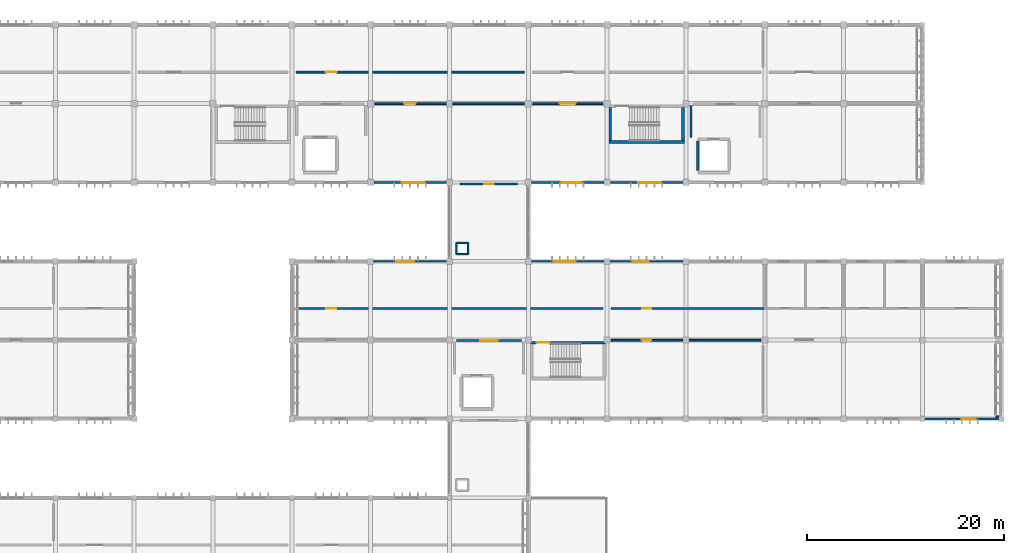
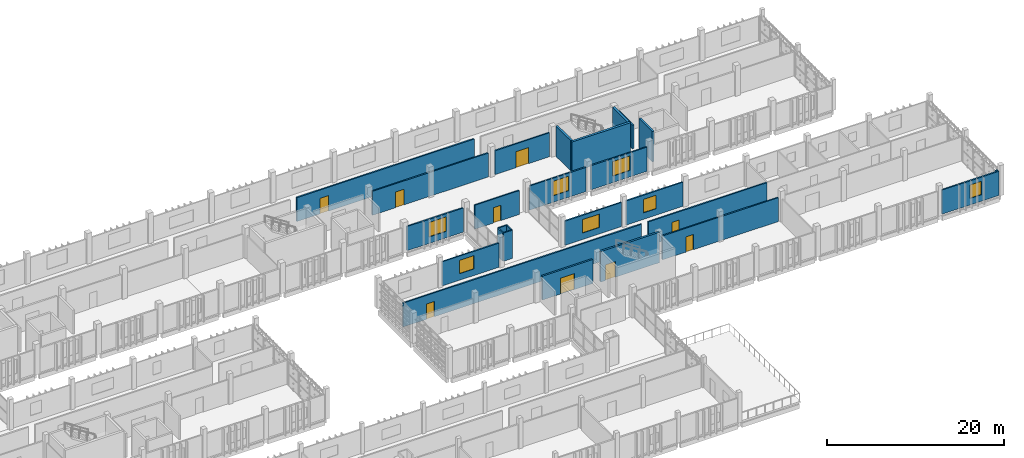
# One storey, part 52 of 63: 26 walls, 9 doors, 7 windows, 16 openings.
"""IFC4 building model written with IfcOpenShell, lengths in metres."""

from ifc_helpers import new_model, si_unit, direction, frame, frame_2d, origin, place, context, subcontext, project, spatial, rectangle, extrude, material, layer, layer_set, type_object, element, fill, save


model = new_model("IFC4")

# Units and contexts
model_context = context("Model", 3, precision=1e-05, world=origin(), true_north=direction((0.0, 1.0)))
body_context = subcontext(model_context, "Body", "Model", "MODEL_VIEW")
ifc_project = project(units=[si_unit("LENGTHUNIT", "METRE"), si_unit("AREAUNIT", "SQUARE_METRE"), si_unit("VOLUMEUNIT", "CUBIC_METRE"), si_unit("PLANEANGLEUNIT", "RADIAN"), si_unit("MASSUNIT", "GRAM", prefix="KILO")], contexts=[model_context])

# Site, building, storey
site_placement = place(None, origin())
site = spatial("IfcSite", under=ifc_project, at=site_placement, CompositionType="ELEMENT")
building_placement = place(site_placement, origin())
building = spatial("IfcBuilding", under=site, at=building_placement, Name="Jelvoka-Kovrelna Polytechnic", CompositionType="ELEMENT")
storey_placement = place(building_placement, frame((0.0, 0.0, 18.0)))
storey = spatial("IfcBuildingStorey", under=building, at=storey_placement, Name="L05", CompositionType="ELEMENT", Elevation=18.0)

# Wall
ifc_material_1 = material(Name="Concrete C35/45", Category="concrete")
ifc_layer_1 = layer(ifc_material_1, 0.219970703125)
ifc_layer_set_1 = layer_set([ifc_layer_1], Name="Concrete C35/45")
wall_type_1 = type_object("IfcWallType", Name="Wall_Compartment_220", PredefinedType="PARTITIONING", material=ifc_layer_set_1)
wall_1_placement = place(storey_placement, frame((168.5, 60.550048828125, 0.0), z_axis=(0.0, 0.0, 1.0), x_axis=(0.0, 1.0, 0.0)))
element("IfcWall", 1, at=wall_1_placement, inside=storey, type_object=wall_type_1, Name="L05 interior wall 0368", PredefinedType="PARTITIONING", context=body_context, shape_type="SweptSolid", body=[
    extrude(rectangle(XDim=3.25, YDim=0.219970703125, at=frame_2d((1.625, 0.0))), origin(), (0.0, 0.0, 1.0), 3.300048828125),
])

# Wall, opening, door
wall_2_placement = place(storey_placement, frame((144.699951171875, 39.949951171875, 0.0), z_axis=(0.0, 0.0, 1.0), x_axis=(1.0, 0.0, 0.0)))
wall_2 = element("IfcWall", 2, at=wall_2_placement, inside=storey, type_object=wall_type_1, Name="L05 interior wall 0495", PredefinedType="PARTITIONING", context=body_context, shape_type="SweptSolid", body=[
    extrude(rectangle(XDim=6.60009765625, YDim=0.219970703125, at=frame_2d((3.300048828125, 0.0))), origin(), (0.0, 0.0, 1.0), 3.300048828125),
])
opening_1_placement = place(wall_2_placement, frame((2.39990234375, 0.0, 0.0)))
opening_1 = element("IfcOpeningElement", 3, at=opening_1_placement, cuts=wall_2, Name="Opening FD-L05-094", PredefinedType="OPENING", context=body_context, shape_type="SweptSolid", body=[
    extrude(rectangle(XDim=1.800048828125, YDim=2.199951171875, at=frame_2d((0.89990234375, 1.10009765625))), frame((0.0, 0.119873046875, 0.0), z_axis=(0.0, -1.0, 0.0), x_axis=(1.0, 0.0, 0.0)), (0.0, 0.0, 1.0), 0.239990234375),
])
ifc_material_2 = material(Name="Paired steel corridor fire door", Category="steel")
door_type_1 = type_object("IfcDoorType", Name="Door_Fire_FD03", OperationType="NOTDEFINED", PredefinedType="DOOR", material=ifc_material_2)
door_1_placement = place(opening_1_placement, origin())
door_1 = element("IfcDoor", 4, at=door_1_placement, inside=storey, type_object=door_type_1, Name="L05 interior door FD-L05-094", OperationType="DOUBLE_DOOR_SINGLE_SWING", OverallHeight=2.199951171875, OverallWidth=1.800048828125, PredefinedType="DOOR", context=body_context, shape_type="SweptSolid", body=[
    extrude(rectangle(XDim=1.800048828125, YDim=2.199951171875, at=frame_2d((0.89990234375, 1.10009765625))), frame((0.0, 0.02490234375, 0.0), z_axis=(0.0, -1.0, 0.0), x_axis=(1.0, 0.0, 0.0)), (0.0, 0.0, 1.0), 0.050048828125),
])
fill(opening_1, door_1)

ifc_material_3 = material(Name="Concrete C40/50", Category="concrete")
ifc_layer_2 = layer(ifc_material_3, 0.25)
ifc_layer_set_2 = layer_set([ifc_layer_2], Name="Concrete C40/50")
wall_type_2 = type_object("IfcWallType", Name="Wall_Core_250", PredefinedType="SOLIDWALL", material=ifc_layer_set_2)
wall_3_placement = place(storey_placement, frame((152.199951171875, 39.739990234375, 0.0), z_axis=(0.0, 0.0, 1.0), x_axis=(1.0, 0.0, 0.0)))
wall_3 = element("IfcWall", 5, at=wall_3_placement, inside=storey, type_object=wall_type_2, Name="L05 interior wall 0135", PredefinedType="SOLIDWALL", context=body_context, shape_type="SweptSolid", body=[
    extrude(rectangle(XDim=7.650146484375, YDim=0.25, at=frame_2d((3.8251953125, 0.0))), origin(), (0.0, 0.0, 1.0), 4.199951171875),
])
opening_2_placement = place(wall_3_placement, frame((0.64990234375, 0.0, 0.0)))
opening_2 = element("IfcOpeningElement", 6, at=opening_2_placement, cuts=wall_3, Name="Opening SD-L05-034", PredefinedType="OPENING", context=body_context, shape_type="SweptSolid", body=[
    extrude(rectangle(XDim=1.25, YDim=2.14990234375, at=frame_2d((0.625, 1.074951171875))), frame((0.0, 0.135009765625, 0.0), z_axis=(0.0, -1.0, 0.0), x_axis=(1.0, 0.0, 0.0)), (0.0, 0.0, 1.0), 0.27001953125),
])
ifc_material_4 = material(Name="Powder-coated steel fire door", Category="steel")
door_type_2 = type_object("IfcDoorType", Name="Door_Fire_FD02", OperationType="NOTDEFINED", PredefinedType="DOOR", material=ifc_material_4)
door_2_placement = place(opening_2_placement, origin())
door_2 = element("IfcDoor", 7, at=door_2_placement, inside=storey, type_object=door_type_2, Name="L05 interior door SD-L05-034", OperationType="SINGLE_SWING_LEFT", OverallHeight=2.14990234375, OverallWidth=1.25, PredefinedType="DOOR", context=body_context, shape_type="SweptSolid", body=[
    extrude(rectangle(XDim=1.25, YDim=2.14990234375, at=frame_2d((0.625, 1.074951171875))), frame((0.0, 0.02490234375, 0.0), z_axis=(0.0, -1.0, 0.0), x_axis=(1.0, 0.0, 0.0)), (0.0, 0.0, 1.0), 0.050048828125),
])
fill(opening_2, door_2)

# Walls
wall_4_placement = place(storey_placement, frame((160.324951171875, 60.25, 0.0), z_axis=(0.0, 0.0, 1.0), x_axis=(0.0, 1.0, 0.0)))
element("IfcWall", 8, at=wall_4_placement, inside=storey, type_object=wall_type_2, Name="L05 interior wall 0204", PredefinedType="SOLIDWALL", context=body_context, shape_type="SweptSolid", body=[
    extrude(rectangle(XDim=3.360107421875, YDim=0.25, at=frame_2d((1.68017578125, 0.0))), origin(), (0.0, 0.0, 1.0), 4.199951171875),
])
wall_5_placement = place(storey_placement, frame((169.199951171875, 57.199951171875, 0.0), z_axis=(0.0, 0.0, 1.0), x_axis=(0.0, 1.0, 0.0)))
element("IfcWall", 9, at=wall_5_placement, inside=storey, type_object=wall_type_2, Name="L05 interior wall 0365", PredefinedType="SOLIDWALL", context=body_context, shape_type="SweptSolid", body=[
    extrude(rectangle(XDim=3.0, YDim=0.25, at=frame_2d((1.5, 0.0))), origin(), (0.0, 0.0, 1.0), 4.199951171875),
])

# Wall, opening, door
ifc_material_5 = material(Name="Autoclaved aerated concrete blockwork", Category="masonry")
ifc_layer_3 = layer(ifc_material_5, 0.179931640625)
ifc_layer_set_3 = layer_set([ifc_layer_3], Name="Autoclaved aerated concrete blockwork")
wall_type_3 = type_object("IfcWallType", Name="Wall_Corridor_180", PredefinedType="PARTITIONING", material=ifc_layer_set_3)
wall_6_placement = place(storey_placement, frame((160.429931640625, 40.0, 0.0), z_axis=(0.0, 0.0, 1.0), x_axis=(1.0, 0.0, 0.0)))
wall_6 = element("IfcWall", 10, at=wall_6_placement, inside=storey, type_object=wall_type_3, Name="L05 interior wall 1197", PredefinedType="PARTITIONING", context=body_context, shape_type="SweptSolid", body=[
    extrude(rectangle(XDim=15.14013671875, YDim=0.179931640625, at=frame_2d((7.570068359375, 0.0))), origin(), (0.0, 0.0, 1.0), 3.300048828125),
])
opening_3_placement = place(wall_6_placement, frame((3.10009765625, 0.0, 0.0)))
opening_3 = element("IfcOpeningElement", 11, at=opening_3_placement, cuts=wall_6, Name="Opening D-L05-388", PredefinedType="OPENING", context=body_context, shape_type="SweptSolid", body=[
    extrude(rectangle(XDim=0.93994140625, YDim=2.10009765625, at=frame_2d((0.469970703125, 1.050048828125))), frame((0.0, 0.099853515625, 0.0), z_axis=(0.0, -1.0, 0.0), x_axis=(1.0, 0.0, 0.0)), (0.0, 0.0, 1.0), 0.199951171875),
])
ifc_material_6 = material(Name="Hardwood solid-core door", Category="wood")
door_type_3 = type_object("IfcDoorType", Name="Door_Int_D02", OperationType="NOTDEFINED", PredefinedType="DOOR", material=ifc_material_6)
door_3_placement = place(opening_3_placement, origin())
door_3 = element("IfcDoor", 12, at=door_3_placement, inside=storey, type_object=door_type_3, Name="L05 interior door D-L05-388", OperationType="SINGLE_SWING_RIGHT", OverallHeight=2.10009765625, OverallWidth=0.93994140625, PredefinedType="DOOR", context=body_context, shape_type="SweptSolid", body=[
    extrude(rectangle(XDim=0.93994140625, YDim=2.10009765625, at=frame_2d((0.469970703125, 1.050048828125))), frame((0.0, 0.02490234375, 0.0), z_axis=(0.0, -1.0, 0.0), x_axis=(1.0, 0.0, 0.0)), (0.0, 0.0, 1.0), 0.050048828125),
])
fill(opening_3, door_3)

wall_7_placement = place(storey_placement, frame((128.429931640625, 43.199951171875, 0.0), z_axis=(0.0, 0.0, 1.0), x_axis=(1.0, 0.0, 0.0)))
wall_7 = element("IfcWall", 13, at=wall_7_placement, inside=storey, type_object=wall_type_3, Name="L05 interior wall 1200", PredefinedType="PARTITIONING", context=body_context, shape_type="SweptSolid", body=[
    extrude(rectangle(XDim=31.14013671875, YDim=0.179931640625, at=frame_2d((15.570068359375, 0.0))), origin(), (0.0, 0.0, 1.0), 3.300048828125),
])
opening_4_placement = place(wall_7_placement, frame((3.0400390625, 0.0, 0.0)))
opening_4 = element("IfcOpeningElement", 14, at=opening_4_placement, cuts=wall_7, Name="Opening D-L05-390", PredefinedType="OPENING", context=body_context, shape_type="SweptSolid", body=[
    extrude(rectangle(XDim=1.06005859375, YDim=2.10009765625, at=frame_2d((0.530029296875, 1.050048828125))), frame((0.0, 0.099853515625, 0.0), z_axis=(0.0, -1.0, 0.0), x_axis=(1.0, 0.0, 0.0)), (0.0, 0.0, 1.0), 0.199951171875),
])
ifc_material_7 = material(Name="Hardwood solid-core door", Category="wood")
door_type_4 = type_object("IfcDoorType", Name="Door_Int_D05", OperationType="NOTDEFINED", PredefinedType="DOOR", material=ifc_material_7)
door_4_placement = place(opening_4_placement, origin())
door_4 = element("IfcDoor", 15, at=door_4_placement, inside=storey, type_object=door_type_4, Name="L05 interior door D-L05-390", OperationType="SINGLE_SWING_LEFT", OverallHeight=2.10009765625, OverallWidth=1.06005859375, PredefinedType="DOOR", context=body_context, shape_type="SweptSolid", body=[
    extrude(rectangle(XDim=1.06005859375, YDim=2.10009765625, at=frame_2d((0.530029296875, 1.050048828125))), frame((0.0, 0.02490234375, 0.0), z_axis=(0.0, -1.0, 0.0), x_axis=(1.0, 0.0, 0.0)), (0.0, 0.0, 1.0), 0.050048828125),
])
fill(opening_4, door_4)

wall_8_placement = place(storey_placement, frame((160.429931640625, 43.199951171875, 0.0), z_axis=(0.0, 0.0, 1.0), x_axis=(1.0, 0.0, 0.0)))
wall_8 = element("IfcWall", 16, at=wall_8_placement, inside=storey, type_object=wall_type_3, Name="L05 interior wall 1201", PredefinedType="PARTITIONING", context=body_context, shape_type="SweptSolid", body=[
    extrude(rectangle(XDim=15.4951171875, YDim=0.179931640625, at=frame_2d((7.74755859375, 0.0))), origin(), (0.0, 0.0, 1.0), 3.300048828125),
])
opening_5_placement = place(wall_8_placement, frame((3.110107421875, 0.0, 0.0)))
opening_5 = element("IfcOpeningElement", 17, at=opening_5_placement, cuts=wall_8, Name="Opening D-L05-391", PredefinedType="OPENING", context=body_context, shape_type="SweptSolid", body=[
    extrude(rectangle(XDim=0.919921875, YDim=2.14990234375, at=frame_2d((0.4599609375, 1.074951171875))), frame((0.0, 0.099853515625, 0.0), z_axis=(0.0, -1.0, 0.0), x_axis=(1.0, 0.0, 0.0)), (0.0, 0.0, 1.0), 0.199951171875),
])
ifc_material_8 = material(Name="Hardwood solid-core door", Category="wood")
door_type_5 = type_object("IfcDoorType", Name="Door_Int_D06", OperationType="NOTDEFINED", PredefinedType="DOOR", material=ifc_material_8)
door_5_placement = place(opening_5_placement, origin())
door_5 = element("IfcDoor", 18, at=door_5_placement, inside=storey, type_object=door_type_5, Name="L05 interior door D-L05-391", OperationType="SINGLE_SWING_RIGHT", OverallHeight=2.14990234375, OverallWidth=0.919921875, PredefinedType="DOOR", context=body_context, shape_type="SweptSolid", body=[
    extrude(rectangle(XDim=0.919921875, YDim=2.14990234375, at=frame_2d((0.4599609375, 1.074951171875))), frame((0.0, 0.02490234375, 0.0), z_axis=(0.0, -1.0, 0.0), x_axis=(1.0, 0.0, 0.0)), (0.0, 0.0, 1.0), 0.050048828125),
])
fill(opening_5, door_5)

wall_9_placement = place(storey_placement, frame((136.429931640625, 64.0, 0.0), z_axis=(0.0, 0.0, 1.0), x_axis=(1.0, 0.0, 0.0)))
wall_9 = element("IfcWall", 19, at=wall_9_placement, inside=storey, type_object=wall_type_3, Name="L05 interior wall 1206", PredefinedType="PARTITIONING", context=body_context, shape_type="SweptSolid", body=[
    extrude(rectangle(XDim=15.14013671875, YDim=0.179931640625, at=frame_2d((7.570068359375, 0.0))), origin(), (0.0, 0.0, 1.0), 3.300048828125),
])
opening_6_placement = place(wall_9_placement, frame((3.0, 0.0, 0.0)))
opening_6 = element("IfcOpeningElement", 20, at=opening_6_placement, cuts=wall_9, Name="Opening D-L05-395", PredefinedType="OPENING", context=body_context, shape_type="SweptSolid", body=[
    extrude(rectangle(XDim=1.139892578125, YDim=2.14990234375, at=frame_2d((0.56982421875, 1.074951171875))), frame((0.0, 0.099853515625, 0.0), z_axis=(0.0, -1.0, 0.0), x_axis=(1.0, 0.0, 0.0)), (0.0, 0.0, 1.0), 0.199951171875),
])
ifc_material_9 = material(Name="Laboratory vision-panel door", Category="wood")
door_type_6 = type_object("IfcDoorType", Name="Door_Int_D11", OperationType="NOTDEFINED", PredefinedType="DOOR", material=ifc_material_9)
door_6_placement = place(opening_6_placement, origin())
door_6 = element("IfcDoor", 21, at=door_6_placement, inside=storey, type_object=door_type_6, Name="L05 interior door D-L05-395", OperationType="SINGLE_SWING_RIGHT", OverallHeight=2.14990234375, OverallWidth=1.139892578125, PredefinedType="DOOR", context=body_context, shape_type="SweptSolid", body=[
    extrude(rectangle(XDim=1.139892578125, YDim=2.14990234375, at=frame_2d((0.56982421875, 1.074951171875))), frame((0.0, 0.02490234375, 0.0), z_axis=(0.0, -1.0, 0.0), x_axis=(1.0, 0.0, 0.0)), (0.0, 0.0, 1.0), 0.050048828125),
])
fill(opening_6, door_6)

wall_10_placement = place(storey_placement, frame((152.429931640625, 64.0, 0.0), z_axis=(0.0, 0.0, 1.0), x_axis=(1.0, 0.0, 0.0)))
wall_10 = element("IfcWall", 22, at=wall_10_placement, inside=storey, type_object=wall_type_3, Name="L05 interior wall 1207", PredefinedType="PARTITIONING", context=body_context, shape_type="SweptSolid", body=[
    extrude(rectangle(XDim=7.14013671875, YDim=0.179931640625, at=frame_2d((3.570068359375, 0.0))), origin(), (0.0, 0.0, 1.0), 3.300048828125),
])
opening_7_placement = place(wall_10_placement, frame((2.739990234375, 0.0, 0.0)))
opening_7 = element("IfcOpeningElement", 23, at=opening_7_placement, cuts=wall_10, Name="Opening D-L05-396", PredefinedType="OPENING", context=body_context, shape_type="SweptSolid", body=[
    extrude(rectangle(XDim=1.659912109375, YDim=2.219970703125, at=frame_2d((0.830078125, 1.10986328125))), frame((0.0, 0.099853515625, 0.0), z_axis=(0.0, -1.0, 0.0), x_axis=(1.0, 0.0, 0.0)), (0.0, 0.0, 1.0), 0.199951171875),
])
ifc_material_10 = material(Name="Paired acoustic fire-resisting lecture door", Category="wood")
door_type_7 = type_object("IfcDoorType", Name="Door_Fire_FD30_08", OperationType="NOTDEFINED", PredefinedType="DOOR", material=ifc_material_10)
door_7_placement = place(opening_7_placement, origin())
door_7 = element("IfcDoor", 24, at=door_7_placement, inside=storey, type_object=door_type_7, Name="L05 interior door D-L05-396", OperationType="DOUBLE_DOOR_SINGLE_SWING", OverallHeight=2.219970703125, OverallWidth=1.659912109375, PredefinedType="DOOR", context=body_context, shape_type="SweptSolid", body=[
    extrude(rectangle(XDim=1.659912109375, YDim=2.219970703125, at=frame_2d((0.830078125, 1.10986328125))), frame((0.0, 0.02490234375, 0.0), z_axis=(0.0, -1.0, 0.0), x_axis=(1.0, 0.0, 0.0)), (0.0, 0.0, 1.0), 0.050048828125),
])
fill(opening_7, door_7)

wall_11_placement = place(storey_placement, frame((128.429931640625, 67.199951171875, 0.0), z_axis=(0.0, 0.0, 1.0), x_axis=(1.0, 0.0, 0.0)))
wall_11 = element("IfcWall", 25, at=wall_11_placement, inside=storey, type_object=wall_type_3, Name="L05 interior wall 1212", PredefinedType="PARTITIONING", context=body_context, shape_type="SweptSolid", body=[
    extrude(rectangle(XDim=23.14013671875, YDim=0.179931640625, at=frame_2d((11.570068359375, 0.0))), origin(), (0.0, 0.0, 1.0), 3.300048828125),
])
opening_8_placement = place(wall_11_placement, frame((2.9951171875, 0.0, 0.0)))
opening_8 = element("IfcOpeningElement", 26, at=opening_8_placement, cuts=wall_11, Name="Opening D-L05-401", PredefinedType="OPENING", context=body_context, shape_type="SweptSolid", body=[
    extrude(rectangle(XDim=1.14990234375, YDim=2.14990234375, at=frame_2d((0.574951171875, 1.074951171875))), frame((0.0, 0.099853515625, 0.0), z_axis=(0.0, -1.0, 0.0), x_axis=(1.0, 0.0, 0.0)), (0.0, 0.0, 1.0), 0.199951171875),
])
ifc_material_11 = material(Name="Hardwood fire-resisting laboratory door", Category="wood")
door_type_8 = type_object("IfcDoorType", Name="Door_Fire_FD30_03", OperationType="NOTDEFINED", PredefinedType="DOOR", material=ifc_material_11)
door_8_placement = place(opening_8_placement, origin())
door_8 = element("IfcDoor", 27, at=door_8_placement, inside=storey, type_object=door_type_8, Name="L05 interior door D-L05-401", OperationType="SINGLE_SWING_LEFT", OverallHeight=2.14990234375, OverallWidth=1.14990234375, PredefinedType="DOOR", context=body_context, shape_type="SweptSolid", body=[
    extrude(rectangle(XDim=1.14990234375, YDim=2.14990234375, at=frame_2d((0.574951171875, 1.074951171875))), frame((0.0, 0.02490234375, 0.0), z_axis=(0.0, -1.0, 0.0), x_axis=(1.0, 0.0, 0.0)), (0.0, 0.0, 1.0), 0.050048828125),
])
fill(opening_8, door_8)

wall_12_placement = place(storey_placement, frame((145.10009765625, 55.85009765625, 0.0), z_axis=(0.0, 0.0, 1.0), x_axis=(1.0, 0.0, 0.0)))
wall_12 = element("IfcWall", 28, at=wall_12_placement, inside=storey, type_object=wall_type_3, Name="L05 interior wall 1221", PredefinedType="PARTITIONING", context=body_context, shape_type="SweptSolid", body=[
    extrude(rectangle(XDim=5.7998046875, YDim=0.179931640625, at=frame_2d((2.89990234375, 0.0))), origin(), (0.0, 0.0, 1.0), 3.300048828125),
])
opening_9_placement = place(wall_12_placement, frame((2.409912109375, 0.0, 0.0)))
opening_9 = element("IfcOpeningElement", 29, at=opening_9_placement, cuts=wall_12, Name="Opening D-L05-407", PredefinedType="OPENING", context=body_context, shape_type="SweptSolid", body=[
    extrude(rectangle(XDim=0.97998046875, YDim=2.10009765625, at=frame_2d((0.489990234375, 1.050048828125))), frame((0.0, 0.099853515625, 0.0), z_axis=(0.0, -1.0, 0.0), x_axis=(1.0, 0.0, 0.0)), (0.0, 0.0, 1.0), 0.199951171875),
])
ifc_material_12 = material(Name="Hardwood solid-core door", Category="wood")
door_type_9 = type_object("IfcDoorType", Name="Door_Int_D03", OperationType="NOTDEFINED", PredefinedType="DOOR", material=ifc_material_12)
door_9_placement = place(opening_9_placement, origin())
door_9 = element("IfcDoor", 30, at=door_9_placement, inside=storey, type_object=door_type_9, Name="L05 interior door D-L05-407", OperationType="SINGLE_SWING_RIGHT", OverallHeight=2.10009765625, OverallWidth=0.97998046875, PredefinedType="DOOR", context=body_context, shape_type="SweptSolid", body=[
    extrude(rectangle(XDim=0.97998046875, YDim=2.10009765625, at=frame_2d((0.489990234375, 1.050048828125))), frame((0.0, 0.02490234375, 0.0), z_axis=(0.0, -1.0, 0.0), x_axis=(1.0, 0.0, 0.0)), (0.0, 0.0, 1.0), 0.050048828125),
])
fill(opening_9, door_9)

# Wall, opening, window
ifc_material_13 = material(Name="Precast concrete C40/50", Category="concrete")
ifc_layer_4 = layer(ifc_material_13, 0.18505859375)
ifc_layer_set_4 = layer_set([ifc_layer_4], Name="Precast concrete C40/50")
wall_type_4 = type_object("IfcWallType", Name="Wall_Ext_White_260", PredefinedType="STANDARD", material=ifc_layer_set_4)
wall_13_placement = place(storey_placement, frame((136.297119140625, 48.0, 0.0), z_axis=(0.0, 0.0, 1.0), x_axis=(1.0, 0.0, 0.0)))
wall_13 = element("IfcWall", 31, at=wall_13_placement, inside=storey, type_object=wall_type_4, Name="L05 exterior wall 0509", PredefinedType="STANDARD", context=body_context, shape_type="SweptSolid", body=[
    extrude(rectangle(XDim=7.40576171875, YDim=0.18505859375, at=frame_2d((3.702880859375, 0.0))), origin(), (0.0, 0.0, 1.0), 3.3349609375),
])
opening_10_placement = place(wall_13_placement, frame((2.282958984375, 0.0, 0.89990234375)))
opening_10 = element("IfcOpeningElement", 32, at=opening_10_placement, cuts=wall_13, Name="Opening W-L05-208", PredefinedType="OPENING", context=body_context, shape_type="SweptSolid", body=[
    extrude(rectangle(XDim=1.85009765625, YDim=1.85009765625, at=frame_2d((0.925048828125, 0.925048828125))), frame((0.0, 0.1025390625, 0.0), z_axis=(0.0, -1.0, 0.0), x_axis=(1.0, 0.0, 0.0)), (0.0, 0.0, 1.0), 0.205078125),
])
ifc_material_14 = material(Name="Thermally broken anodised aluminium and low-e glazing", Category="aluminium")
window_type_1 = type_object("IfcWindowType", Name="Win_Casement_W45", PartitioningType="DOUBLE_PANEL_VERTICAL", PredefinedType="WINDOW", material=ifc_material_14)
window_1_placement = place(opening_10_placement, origin())
window_1 = element("IfcWindow", 33, at=window_1_placement, inside=storey, type_object=window_type_1, Name="L05 aluminium casement window W-L05-208", OverallHeight=1.85009765625, OverallWidth=1.85009765625, PartitioningType="DOUBLE_PANEL_VERTICAL", PredefinedType="WINDOW", context=body_context, shape_type="SweptSolid", body=[
    extrude(rectangle(XDim=1.85009765625, YDim=1.85009765625, at=frame_2d((0.925048828125, 0.925048828125))), frame((0.0, 0.030029296875, 0.0), z_axis=(0.0, -1.0, 0.0), x_axis=(1.0, 0.0, 0.0)), (0.0, 0.0, 1.0), 0.06005859375),
])
fill(opening_10, window_1)

wall_14_placement = place(storey_placement, frame((152.297119140625, 48.0, 0.0), z_axis=(0.0, 0.0, 1.0), x_axis=(1.0, 0.0, 0.0)))
wall_14 = element("IfcWall", 34, at=wall_14_placement, inside=storey, type_object=wall_type_4, Name="L05 exterior wall 0511", PredefinedType="STANDARD", context=body_context, shape_type="SweptSolid", body=[
    extrude(rectangle(XDim=7.40576171875, YDim=0.18505859375, at=frame_2d((3.702880859375, 0.0))), origin(), (0.0, 0.0, 1.0), 3.3349609375),
])
opening_11_placement = place(wall_14_placement, frame((2.282958984375, 0.0, 0.89990234375)))
opening_11 = element("IfcOpeningElement", 35, at=opening_11_placement, cuts=wall_14, Name="Opening W-L05-210", PredefinedType="OPENING", context=body_context, shape_type="SweptSolid", body=[
    extrude(rectangle(XDim=2.25, YDim=1.85009765625, at=frame_2d((1.125, 0.925048828125))), frame((0.0, 0.1025390625, 0.0), z_axis=(0.0, -1.0, 0.0), x_axis=(1.0, 0.0, 0.0)), (0.0, 0.0, 1.0), 0.205078125),
])
ifc_material_15 = material(Name="Thermally broken anodised aluminium and low-e glazing", Category="aluminium")
window_type_2 = type_object("IfcWindowType", Name="Win_Casement_W47", PartitioningType="DOUBLE_PANEL_VERTICAL", PredefinedType="WINDOW", material=ifc_material_15)
window_2_placement = place(opening_11_placement, origin())
window_2 = element("IfcWindow", 36, at=window_2_placement, inside=storey, type_object=window_type_2, Name="L05 aluminium casement window W-L05-210", OverallHeight=1.85009765625, OverallWidth=2.25, PartitioningType="DOUBLE_PANEL_VERTICAL", PredefinedType="WINDOW", context=body_context, shape_type="SweptSolid", body=[
    extrude(rectangle(XDim=2.25, YDim=1.85009765625, at=frame_2d((1.125, 0.925048828125))), frame((0.0, 0.030029296875, 0.0), z_axis=(0.0, -1.0, 0.0), x_axis=(1.0, 0.0, 0.0)), (0.0, 0.0, 1.0), 0.06005859375),
])
fill(opening_11, window_2)

wall_15_placement = place(storey_placement, frame((160.297119140625, 48.0, 0.0), z_axis=(0.0, 0.0, 1.0), x_axis=(1.0, 0.0, 0.0)))
wall_15 = element("IfcWall", 37, at=wall_15_placement, inside=storey, type_object=wall_type_4, Name="L05 exterior wall 0513", PredefinedType="STANDARD", context=body_context, shape_type="SweptSolid", body=[
    extrude(rectangle(XDim=7.40576171875, YDim=0.18505859375, at=frame_2d((3.702880859375, 0.0))), origin(), (0.0, 0.0, 1.0), 3.3349609375),
])
opening_12_placement = place(wall_15_placement, frame((2.282958984375, 0.0, 0.89990234375)))
opening_12 = element("IfcOpeningElement", 38, at=opening_12_placement, cuts=wall_15, Name="Opening W-L05-212", PredefinedType="OPENING", context=body_context, shape_type="SweptSolid", body=[
    extrude(rectangle(XDim=1.64990234375, YDim=1.85009765625, at=frame_2d((0.824951171875, 0.925048828125))), frame((0.0, 0.1025390625, 0.0), z_axis=(0.0, -1.0, 0.0), x_axis=(1.0, 0.0, 0.0)), (0.0, 0.0, 1.0), 0.205078125),
])
ifc_material_16 = material(Name="Thermally broken anodised aluminium and low-e glazing", Category="aluminium")
window_type_3 = type_object("IfcWindowType", Name="Win_Casement_W44", PartitioningType="DOUBLE_PANEL_VERTICAL", PredefinedType="WINDOW", material=ifc_material_16)
window_3_placement = place(opening_12_placement, origin())
window_3 = element("IfcWindow", 39, at=window_3_placement, inside=storey, type_object=window_type_3, Name="L05 aluminium casement window W-L05-212", OverallHeight=1.85009765625, OverallWidth=1.64990234375, PartitioningType="DOUBLE_PANEL_VERTICAL", PredefinedType="WINDOW", context=body_context, shape_type="SweptSolid", body=[
    extrude(rectangle(XDim=1.64990234375, YDim=1.85009765625, at=frame_2d((0.824951171875, 0.925048828125))), frame((0.0, 0.030029296875, 0.0), z_axis=(0.0, -1.0, 0.0), x_axis=(1.0, 0.0, 0.0)), (0.0, 0.0, 1.0), 0.06005859375),
])
fill(opening_12, window_3)

wall_16_placement = place(storey_placement, frame((199.72802734375, 32.0, 0.0), z_axis=(0.0, 0.0, 1.0), x_axis=(-1.0, 0.0, 0.0)))
wall_16 = element("IfcWall", 40, at=wall_16_placement, inside=storey, type_object=wall_type_4, Name="L05 exterior wall 0520", PredefinedType="STANDARD", context=body_context, shape_type="SweptSolid", body=[
    extrude(rectangle(XDim=7.4560546875, YDim=0.18505859375, at=frame_2d((3.72802734375, 0.0))), origin(), (0.0, 0.0, 1.0), 3.3349609375),
])
opening_13_placement = place(wall_16_placement, frame((2.30810546875, 0.0, 0.89990234375)))
opening_13 = element("IfcOpeningElement", 41, at=opening_13_placement, cuts=wall_16, Name="Opening W-L05-221", PredefinedType="OPENING", context=body_context, shape_type="SweptSolid", body=[
    extrude(rectangle(XDim=1.449951171875, YDim=1.85009765625, at=frame_2d((0.72509765625, 0.925048828125))), frame((0.0, 0.1025390625, 0.0), z_axis=(0.0, -1.0, 0.0), x_axis=(1.0, 0.0, 0.0)), (0.0, 0.0, 1.0), 0.205078125),
])
ifc_material_17 = material(Name="Thermally broken anodised aluminium and low-e glazing", Category="aluminium")
window_type_4 = type_object("IfcWindowType", Name="Win_Casement_W43", PartitioningType="SINGLE_PANEL", PredefinedType="WINDOW", material=ifc_material_17)
window_4_placement = place(opening_13_placement, origin())
window_4 = element("IfcWindow", 42, at=window_4_placement, inside=storey, type_object=window_type_4, Name="L05 aluminium casement window W-L05-221", OverallHeight=1.85009765625, OverallWidth=1.449951171875, PartitioningType="SINGLE_PANEL", PredefinedType="WINDOW", context=body_context, shape_type="SweptSolid", body=[
    extrude(rectangle(XDim=1.449951171875, YDim=1.85009765625, at=frame_2d((0.72509765625, 0.925048828125))), frame((0.0, 0.030029296875, 0.0), z_axis=(0.0, -1.0, 0.0), x_axis=(1.0, 0.0, 0.0)), (0.0, 0.0, 1.0), 0.06005859375),
])
fill(opening_13, window_4)

wall_17_placement = place(storey_placement, frame((143.677978515625, 56.0, 0.0), z_axis=(0.0, 0.0, 1.0), x_axis=(-1.0, 0.0, 0.0)))
wall_17 = element("IfcWall", 43, at=wall_17_placement, inside=storey, type_object=wall_type_4, Name="L05 exterior wall 0730", PredefinedType="STANDARD", context=body_context, shape_type="SweptSolid", body=[
    extrude(rectangle(XDim=7.35595703125, YDim=0.18505859375, at=frame_2d((3.677978515625, 0.0))), origin(), (0.0, 0.0, 1.0), 3.3349609375),
])
opening_14_placement = place(wall_17_placement, frame((2.258056640625, 0.0, 0.89990234375)))
opening_14 = element("IfcOpeningElement", 44, at=opening_14_placement, cuts=wall_17, Name="Opening W-L05-392", PredefinedType="OPENING", context=body_context, shape_type="SweptSolid", body=[
    extrude(rectangle(XDim=2.25, YDim=2.0, at=frame_2d((1.125, 1.0))), frame((0.0, 0.1025390625, 0.0), z_axis=(0.0, -1.0, 0.0), x_axis=(1.0, 0.0, 0.0)), (0.0, 0.0, 1.0), 0.205078125),
])
ifc_material_18 = material(Name="Thermally broken anodised aluminium and low-e glazing", Category="aluminium")
window_type_5 = type_object("IfcWindowType", Name="Win_Casement_W57", PartitioningType="DOUBLE_PANEL_VERTICAL", PredefinedType="WINDOW", material=ifc_material_18)
window_5_placement = place(opening_14_placement, origin())
window_5 = element("IfcWindow", 45, at=window_5_placement, inside=storey, type_object=window_type_5, Name="L05 aluminium casement window W-L05-392", OverallHeight=2.0, OverallWidth=2.25, PartitioningType="DOUBLE_PANEL_VERTICAL", PredefinedType="WINDOW", context=body_context, shape_type="SweptSolid", body=[
    extrude(rectangle(XDim=2.25, YDim=2.0, at=frame_2d((1.125, 1.0))), frame((0.0, 0.030029296875, 0.0), z_axis=(0.0, -1.0, 0.0), x_axis=(1.0, 0.0, 0.0)), (0.0, 0.0, 1.0), 0.06005859375),
])
fill(opening_14, window_5)

wall_18_placement = place(storey_placement, frame((159.677978515625, 56.0, 0.0), z_axis=(0.0, 0.0, 1.0), x_axis=(-1.0, 0.0, 0.0)))
wall_18 = element("IfcWall", 46, at=wall_18_placement, inside=storey, type_object=wall_type_4, Name="L05 exterior wall 0733", PredefinedType="STANDARD", context=body_context, shape_type="SweptSolid", body=[
    extrude(rectangle(XDim=7.35595703125, YDim=0.18505859375, at=frame_2d((3.677978515625, 0.0))), origin(), (0.0, 0.0, 1.0), 3.3349609375),
])
opening_15_placement = place(wall_18_placement, frame((2.258056640625, 0.0, 0.89990234375)))
opening_15 = element("IfcOpeningElement", 47, at=opening_15_placement, cuts=wall_18, Name="Opening W-L05-395", PredefinedType="OPENING", context=body_context, shape_type="SweptSolid", body=[
    extrude(rectangle(XDim=2.050048828125, YDim=2.0, at=frame_2d((1.02490234375, 1.0))), frame((0.0, 0.1025390625, 0.0), z_axis=(0.0, -1.0, 0.0), x_axis=(1.0, 0.0, 0.0)), (0.0, 0.0, 1.0), 0.205078125),
])
ifc_material_19 = material(Name="Thermally broken anodised aluminium and low-e glazing", Category="aluminium")
window_type_6 = type_object("IfcWindowType", Name="Win_Casement_W56", PartitioningType="DOUBLE_PANEL_VERTICAL", PredefinedType="WINDOW", material=ifc_material_19)
window_6_placement = place(opening_15_placement, origin())
window_6 = element("IfcWindow", 48, at=window_6_placement, inside=storey, type_object=window_type_6, Name="L05 aluminium casement window W-L05-395", OverallHeight=2.0, OverallWidth=2.050048828125, PartitioningType="DOUBLE_PANEL_VERTICAL", PredefinedType="WINDOW", context=body_context, shape_type="SweptSolid", body=[
    extrude(rectangle(XDim=2.050048828125, YDim=2.0, at=frame_2d((1.02490234375, 1.0))), frame((0.0, 0.030029296875, 0.0), z_axis=(0.0, -1.0, 0.0), x_axis=(1.0, 0.0, 0.0)), (0.0, 0.0, 1.0), 0.06005859375),
])
fill(opening_15, window_6)

wall_19_placement = place(storey_placement, frame((167.677978515625, 56.0, 0.0), z_axis=(0.0, 0.0, 1.0), x_axis=(-1.0, 0.0, 0.0)))
wall_19 = element("IfcWall", 49, at=wall_19_placement, inside=storey, type_object=wall_type_4, Name="L05 exterior wall 0735", PredefinedType="STANDARD", context=body_context, shape_type="SweptSolid", body=[
    extrude(rectangle(XDim=7.35595703125, YDim=0.18505859375, at=frame_2d((3.677978515625, 0.0))), origin(), (0.0, 0.0, 1.0), 3.3349609375),
])
opening_16_placement = place(wall_19_placement, frame((2.258056640625, 0.0, 0.89990234375)))
opening_16 = element("IfcOpeningElement", 50, at=opening_16_placement, cuts=wall_19, Name="Opening W-L05-397", PredefinedType="OPENING", context=body_context, shape_type="SweptSolid", body=[
    extrude(rectangle(XDim=2.25, YDim=2.0, at=frame_2d((1.125, 1.0))), frame((0.0, 0.1025390625, 0.0), z_axis=(0.0, -1.0, 0.0), x_axis=(1.0, 0.0, 0.0)), (0.0, 0.0, 1.0), 0.205078125),
])
window_7_placement = place(opening_16_placement, origin())
window_7 = element("IfcWindow", 51, at=window_7_placement, inside=storey, type_object=window_type_5, Name="L05 aluminium casement window W-L05-397", OverallHeight=2.0, OverallWidth=2.25, PartitioningType="DOUBLE_PANEL_VERTICAL", PredefinedType="WINDOW", context=body_context, shape_type="SweptSolid", body=[
    extrude(rectangle(XDim=2.25, YDim=2.0, at=frame_2d((1.125, 1.0))), frame((0.0, 0.030029296875, 0.0), z_axis=(0.0, -1.0, 0.0), x_axis=(1.0, 0.0, 0.0)), (0.0, 0.0, 1.0), 0.06005859375),
])
fill(opening_16, window_7)

# Walls
ifc_material_20 = material(Name="Precast concrete C40/50", Category="concrete")
ifc_layer_5 = layer(ifc_material_20, 0.199951171875)
ifc_layer_set_5 = layer_set([ifc_layer_5], Name="Precast concrete C40/50")
wall_type_5 = type_object("IfcWallType", Name="Wall_Parapet_200", PredefinedType="PARAPET", material=ifc_layer_set_5)
wall_20_placement = place(storey_placement, frame((199.760009765625, 32.219970703125, 0.0), z_axis=(0.0, 0.0, 1.0), x_axis=(-1.0, 0.0, 0.0)))
element("IfcWall", 52, at=wall_20_placement, inside=storey, type_object=wall_type_5, Name="L05 exterior wall 0526", PredefinedType="PARAPET", context=body_context, shape_type="SweptSolid", body=[
    extrude(rectangle(XDim=0.320068359375, YDim=0.199951171875, at=frame_2d((0.16015625, 0.0))), origin(), (0.0, 0.0, 1.0), 3.35009765625),
])
ifc_material_21 = material(Name="Autoclaved aerated concrete blockwork", Category="masonry")
ifc_layer_6 = layer(ifc_material_21, 0.14990234375)
ifc_layer_set_6 = layer_set([ifc_layer_6], Name="Autoclaved aerated concrete blockwork")
wall_type_6 = type_object("IfcWallType", Name="Wall_Partition_150", PredefinedType="PARTITIONING", material=ifc_layer_set_6)
for number, where, z_axis, x_axis, name in (
    (53, (144.719970703125, 48.719970703125, 0.0), (0.0, 0.0, 1.0), (1.0, 0.0, 0.0), "L05 interior wall 0779"),
    (54, (145.8798828125, 48.719970703125, 0.0), (0.0, 0.0, 1.0), (0.0, 1.0, 0.0), "L05 interior wall 0780"),
    (55, (145.8798828125, 49.8798828125, 0.0), (0.0, 0.0, 1.0), (-1.0, 0.0, 0.0), "L05 interior wall 0781"),
    (56, (144.719970703125, 49.8798828125, 0.0), (0.0, 0.0, 1.0), (0.0, -1.0, 0.0), "L05 interior wall 0782"),
):
    element("IfcWall", number, at=place(storey_placement, frame(where, z_axis=z_axis, x_axis=x_axis)), inside=storey, type_object=wall_type_6, Name=name, PredefinedType="PARTITIONING", context=body_context, shape_type="SweptSolid", body=[
        extrude(rectangle(XDim=1.159912109375, YDim=0.14990234375, at=frame_2d((0.580078125, 0.0))), origin(), (0.0, 0.0, 1.0), 3.89990234375),
    ])
ifc_material_22 = material(Name="Concrete C40/50", Category="concrete")
ifc_layer_7 = layer(ifc_material_22, 0.300048828125)
ifc_layer_set_7 = layer_set([ifc_layer_7], Name="Concrete C40/50")
wall_type_7 = type_object("IfcWallType", Name="Wall_Shear_300", PredefinedType="SHEAR", material=ifc_layer_set_7)
wall_21_placement = place(storey_placement, frame((160.199951171875, 60.090087890625, 0.0), z_axis=(0.0, 0.0, 1.0), x_axis=(1.0, 0.0, 0.0)))
element("IfcWall", 57, at=wall_21_placement, inside=storey, type_object=wall_type_7, Name="L05 interior wall 0201", PredefinedType="SHEAR", context=body_context, shape_type="SweptSolid", body=[
    extrude(rectangle(XDim=7.650146484375, YDim=0.300048828125, at=frame_2d((3.8251953125, 0.0))), origin(), (0.0, 0.0, 1.0), 4.199951171875),
])
wall_22_placement = place(storey_placement, frame((167.7099609375, 60.25, 0.0), z_axis=(0.0, 0.0, 1.0), x_axis=(0.0, 1.0, 0.0)))
element("IfcWall", 58, at=wall_22_placement, inside=storey, type_object=wall_type_7, Name="L05 interior wall 0202", PredefinedType="SHEAR", context=body_context, shape_type="SweptSolid", body=[
    extrude(rectangle(XDim=3.360107421875, YDim=0.300048828125, at=frame_2d((1.68017578125, 0.0))), origin(), (0.0, 0.0, 1.0), 4.199951171875),
])

save(model, "model.ifc")
